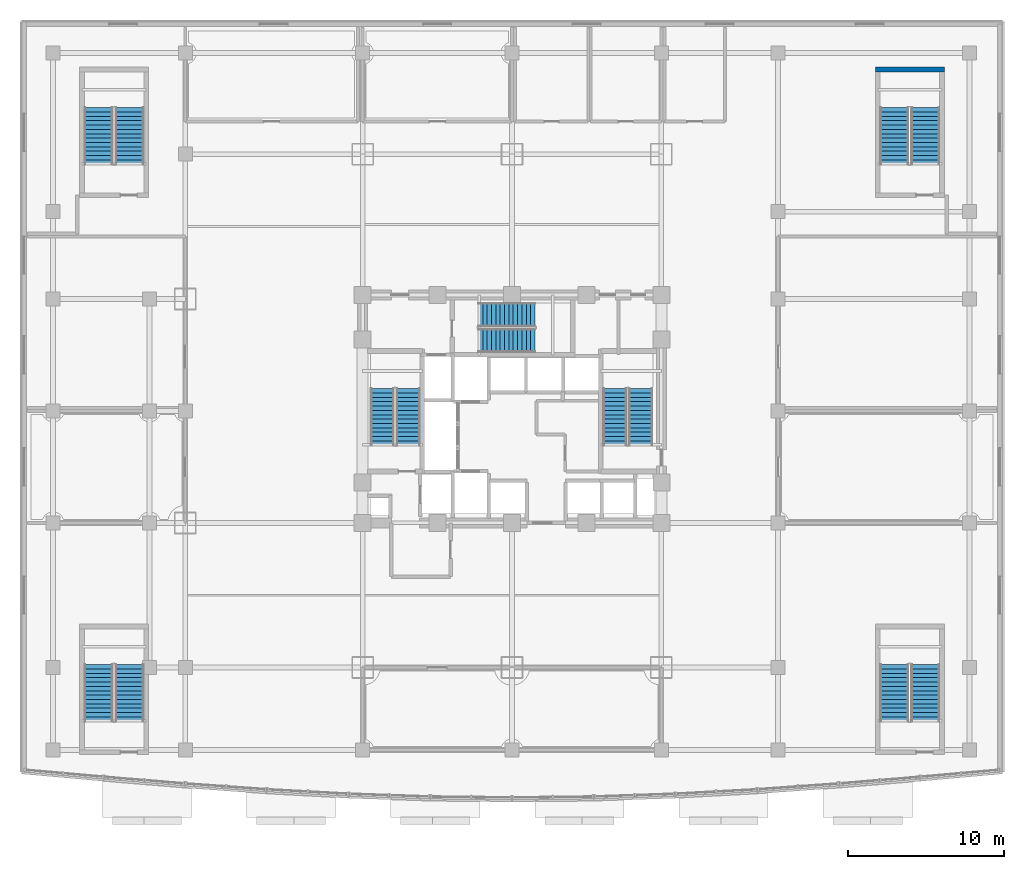
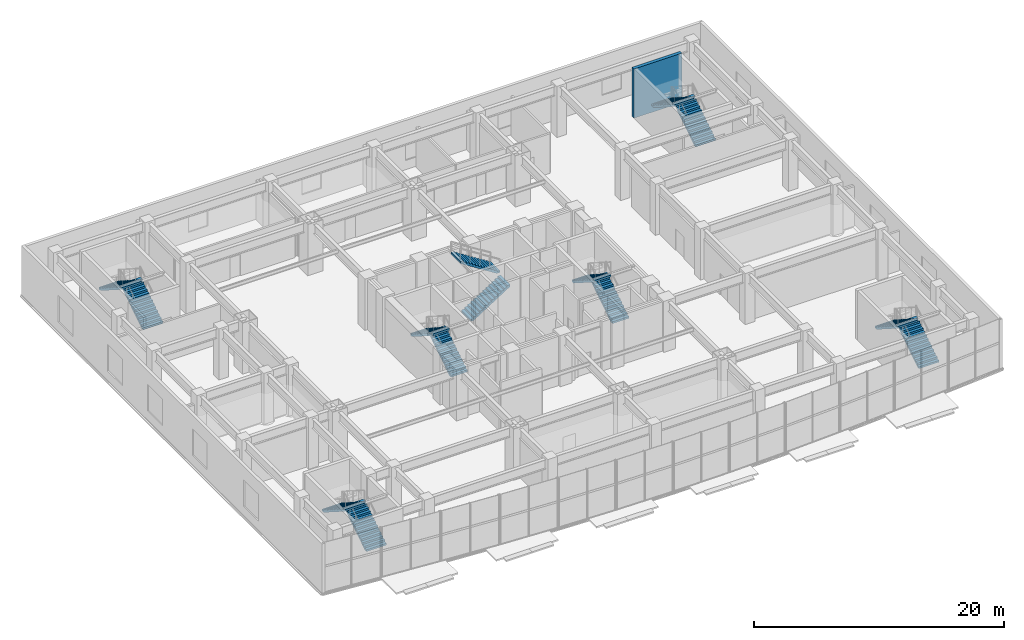
# One storey, part 15 of 24: 14 stair flights, 1 wall, 7 elements without a shape of their own.
"""IFC4 building model written with IfcOpenShell, lengths in metres."""

from ifc_helpers import new_model, si_unit, direction, frame, frame_2d, origin, place, context, subcontext, project, spatial, polyline, rectangle, outline, extrude, material, layer, layer_set, type_object, element, aggregate, save


model = new_model("IFC4")

# Units and contexts
model_context = context("Model", 3, precision=1e-05, world=origin(), true_north=direction((0.0, 1.0)))
body_context = subcontext(model_context, "Body", "Model", "MODEL_VIEW")
ifc_project = project(units=[si_unit("LENGTHUNIT", "METRE"), si_unit("AREAUNIT", "SQUARE_METRE"), si_unit("VOLUMEUNIT", "CUBIC_METRE"), si_unit("PLANEANGLEUNIT", "RADIAN"), si_unit("MASSUNIT", "GRAM", prefix="KILO")], contexts=[model_context])

# Site, building, storey
site_placement = place(None, origin())
site = spatial("IfcSite", under=ifc_project, at=site_placement, CompositionType="ELEMENT")
building_placement = place(site_placement, origin())
building = spatial("IfcBuilding", under=site, at=building_placement, Name="Vantalir Tower", CompositionType="ELEMENT")
storey_placement = place(building_placement, frame((0.0, 0.0, 6.0)))
storey = spatial("IfcBuildingStorey", under=building, at=storey_placement, Name="L01", CompositionType="ELEMENT", Elevation=6.0)

# Wall
ifc_material_1 = material(Name="Concrete C50/60", Category="concrete")
ifc_layer = layer(ifc_material_1, 0.300048828125)
ifc_layer_set = layer_set([ifc_layer], Name="Concrete C50/60")
wall_type = type_object("IfcWallType", Name="WL-STAIR-300", PredefinedType="SHEAR", material=ifc_layer_set)
wall_placement = place(storey_placement, frame((54.85009765625, 46.93994140625, 0.0), z_axis=(0.0, 0.0, 1.0), x_axis=(1.0, 0.0, 0.0)))
element("IfcWall", 1, at=wall_placement, inside=storey, type_object=wall_type, Name="Floor 1 PST2 North Wall", PredefinedType="SHEAR", context=body_context, shape_type="SweptSolid", body=[
    extrude(rectangle(XDim=4.449951171875, YDim=0.300048828125, at=frame_2d((2.22509765625, 0.0))), origin(), (0.0, 0.0, 1.0), 4.820068359375),
])

# Stair, stair flights
ifc_material_2 = material(Name="Concrete C40/50", Category="concrete")
stair_type_1 = type_object("IfcStairType", Name="STR-CORE-1450", PredefinedType="HALF_TURN_STAIR", material=ifc_material_2)
stair_1_placement = place(storey_placement, origin())
stair_1 = element("IfcStair", 2, at=stair_1_placement, inside=storey, type_object=stair_type_1, Name="Level 01 Core Exit Stair 1", PredefinedType="HALF_TURN_STAIR")
stair_flight_type_1 = type_object("IfcStairFlightType", Name="FLT-CORE-1450", PredefinedType="STRAIGHT", material=ifc_material_2)
stair_flight_1_placement = place(storey_placement, frame((24.830078125, 22.7900390625, 0.0), z_axis=(0.0, 0.0, 1.0), x_axis=(0.0, 1.0, 0.0)))
stair_flight_1 = element("IfcStairFlight", 3, at=stair_flight_1_placement, type_object=stair_flight_type_1, Name="ST1 flight 1", NumberOfRisers=14, NumberOfTreads=13, PredefinedType="STRAIGHT", RiserHeight=0.178571429, TreadLength=0.28, context=body_context, shape_type="SweptSolid", body=[
    extrude(outline(polyline([(0.0, 0.0), (0.0, 0.178466796875), (0.280029296875, 0.178466796875), (0.280029296875, 0.357177734375), (0.56005859375, 0.357177734375), (0.56005859375, 0.53564453125), (0.840087890625, 0.53564453125), (0.840087890625, 0.71435546875), (1.1201171875, 0.71435546875), (1.1201171875, 0.892822265625), (1.39990234375, 0.892822265625), (1.39990234375, 1.071533203125), (1.679931640625, 1.071533203125), (1.679931640625, 1.25), (1.9599609375, 1.25), (1.9599609375, 1.428466796875), (2.239990234375, 1.428466796875), (2.239990234375, 1.607177734375), (2.52001953125, 1.607177734375), (2.52001953125, 1.78564453125), (2.800048828125, 1.78564453125), (2.800048828125, 1.96435546875), (3.080078125, 1.96435546875), (3.080078125, 2.142822265625), (3.360107421875, 2.142822265625), (3.360107421875, 2.321533203125), (3.639892578125, 2.321533203125), (3.639892578125, 2.5), (3.639892578125, 2.1435546875), (0.27880859375, 0.0), (0.0, 0.0)])), frame((0.0, 0.77001953125, 0.0), z_axis=(0.0, -1.0, 0.0), x_axis=(1.0, 0.0, 0.0)), (0.0, 0.0, 1.0), 1.5400390625),
])
stair_flight_2_placement = place(storey_placement, frame((23.169921875, 26.429931640625, 2.5), z_axis=(0.0, 0.0, 1.0), x_axis=(0.0, -1.0, 0.0)))
stair_flight_2 = element("IfcStairFlight", 4, at=stair_flight_2_placement, type_object=stair_flight_type_1, Name="ST1 flight 2", NumberOfRisers=14, NumberOfTreads=13, PredefinedType="STRAIGHT", RiserHeight=0.178571429, TreadLength=0.28, context=body_context, shape_type="SweptSolid", body=[
    extrude(outline(polyline([(0.0, 0.0), (0.0, 0.178466796875), (0.280029296875, 0.178466796875), (0.280029296875, 0.357177734375), (0.56005859375, 0.357177734375), (0.56005859375, 0.53564453125), (0.840087890625, 0.53564453125), (0.840087890625, 0.71435546875), (1.1201171875, 0.71435546875), (1.1201171875, 0.892822265625), (1.39990234375, 0.892822265625), (1.39990234375, 1.071533203125), (1.679931640625, 1.071533203125), (1.679931640625, 1.25), (1.9599609375, 1.25), (1.9599609375, 1.428466796875), (2.239990234375, 1.428466796875), (2.239990234375, 1.607177734375), (2.52001953125, 1.607177734375), (2.52001953125, 1.78564453125), (2.800048828125, 1.78564453125), (2.800048828125, 1.96435546875), (3.080078125, 1.96435546875), (3.080078125, 2.142822265625), (3.360107421875, 2.142822265625), (3.360107421875, 2.321533203125), (3.639892578125, 2.321533203125), (3.639892578125, 2.5), (3.639892578125, 2.1435546875), (0.27880859375, 0.0), (0.0, 0.0)])), frame((0.0, 0.77001953125, 0.0), z_axis=(0.0, -1.0, 0.0), x_axis=(1.0, 0.0, 0.0)), (0.0, 0.0, 1.0), 1.5400390625),
])
aggregate(stair_1, [stair_flight_1, stair_flight_2])

stair_2_placement = place(storey_placement, origin())
stair_2 = element("IfcStair", 5, at=stair_2_placement, inside=storey, type_object=stair_type_1, Name="Level 01 Core Exit Stair 2", PredefinedType="HALF_TURN_STAIR")
stair_flight_3_placement = place(storey_placement, frame((39.780029296875, 22.7900390625, 0.0), z_axis=(0.0, 0.0, 1.0), x_axis=(0.0, 1.0, 0.0)))
stair_flight_3 = element("IfcStairFlight", 6, at=stair_flight_3_placement, type_object=stair_flight_type_1, Name="ST2 flight 1", NumberOfRisers=14, NumberOfTreads=13, PredefinedType="STRAIGHT", RiserHeight=0.178571429, TreadLength=0.28, context=body_context, shape_type="SweptSolid", body=[
    extrude(outline(polyline([(0.0, 0.0), (0.0, 0.178466796875), (0.280029296875, 0.178466796875), (0.280029296875, 0.357177734375), (0.56005859375, 0.357177734375), (0.56005859375, 0.53564453125), (0.840087890625, 0.53564453125), (0.840087890625, 0.71435546875), (1.1201171875, 0.71435546875), (1.1201171875, 0.892822265625), (1.39990234375, 0.892822265625), (1.39990234375, 1.071533203125), (1.679931640625, 1.071533203125), (1.679931640625, 1.25), (1.9599609375, 1.25), (1.9599609375, 1.428466796875), (2.239990234375, 1.428466796875), (2.239990234375, 1.607177734375), (2.52001953125, 1.607177734375), (2.52001953125, 1.78564453125), (2.800048828125, 1.78564453125), (2.800048828125, 1.96435546875), (3.080078125, 1.96435546875), (3.080078125, 2.142822265625), (3.360107421875, 2.142822265625), (3.360107421875, 2.321533203125), (3.639892578125, 2.321533203125), (3.639892578125, 2.5), (3.639892578125, 2.1435546875), (0.27880859375, 0.0), (0.0, 0.0)])), frame((0.0, 0.77001953125, 0.0), z_axis=(0.0, -1.0, 0.0), x_axis=(1.0, 0.0, 0.0)), (0.0, 0.0, 1.0), 1.5400390625),
])
stair_flight_4_placement = place(storey_placement, frame((38.1201171875, 26.429931640625, 2.5), z_axis=(0.0, 0.0, 1.0), x_axis=(0.0, -1.0, 0.0)))
stair_flight_4 = element("IfcStairFlight", 7, at=stair_flight_4_placement, type_object=stair_flight_type_1, Name="ST2 flight 2", NumberOfRisers=14, NumberOfTreads=13, PredefinedType="STRAIGHT", RiserHeight=0.178571429, TreadLength=0.28, context=body_context, shape_type="SweptSolid", body=[
    extrude(outline(polyline([(0.0, 0.0), (0.0, 0.178466796875), (0.280029296875, 0.178466796875), (0.280029296875, 0.357177734375), (0.56005859375, 0.357177734375), (0.56005859375, 0.53564453125), (0.840087890625, 0.53564453125), (0.840087890625, 0.71435546875), (1.1201171875, 0.71435546875), (1.1201171875, 0.892822265625), (1.39990234375, 0.892822265625), (1.39990234375, 1.071533203125), (1.679931640625, 1.071533203125), (1.679931640625, 1.25), (1.9599609375, 1.25), (1.9599609375, 1.428466796875), (2.239990234375, 1.428466796875), (2.239990234375, 1.607177734375), (2.52001953125, 1.607177734375), (2.52001953125, 1.78564453125), (2.800048828125, 1.78564453125), (2.800048828125, 1.96435546875), (3.080078125, 1.96435546875), (3.080078125, 2.142822265625), (3.360107421875, 2.142822265625), (3.360107421875, 2.321533203125), (3.639892578125, 2.321533203125), (3.639892578125, 2.5), (3.639892578125, 2.1435546875), (0.27880859375, 0.0), (0.0, 0.0)])), frame((0.0, 0.77001953125, 0.0), z_axis=(0.0, -1.0, 0.0), x_axis=(1.0, 0.0, 0.0)), (0.0, 0.0, 1.0), 1.5400390625),
])
aggregate(stair_2, [stair_flight_3, stair_flight_4])

stair_3_placement = place(storey_placement, origin())
stair_3 = element("IfcStair", 8, at=stair_3_placement, inside=storey, type_object=stair_type_1, Name="Level 01 Core Exit Stair 3", PredefinedType="HALF_TURN_STAIR")
stair_flight_5_placement = place(storey_placement, frame((29.340087890625, 29.52001953125, 0.0), z_axis=(0.0, 0.0, 1.0), x_axis=(1.0, 0.0, 0.0)))
stair_flight_5 = element("IfcStairFlight", 9, at=stair_flight_5_placement, type_object=stair_flight_type_1, Name="ST3 flight 1", NumberOfRisers=14, NumberOfTreads=13, PredefinedType="STRAIGHT", RiserHeight=0.178571429, TreadLength=0.28, context=body_context, shape_type="SweptSolid", body=[
    extrude(outline(polyline([(0.0, 0.0), (0.0, 0.178466796875), (0.280029296875, 0.178466796875), (0.280029296875, 0.357177734375), (0.56005859375, 0.357177734375), (0.56005859375, 0.53564453125), (0.840087890625, 0.53564453125), (0.840087890625, 0.71435546875), (1.1201171875, 0.71435546875), (1.1201171875, 0.892822265625), (1.39990234375, 0.892822265625), (1.39990234375, 1.071533203125), (1.679931640625, 1.071533203125), (1.679931640625, 1.25), (1.9599609375, 1.25), (1.9599609375, 1.428466796875), (2.239990234375, 1.428466796875), (2.239990234375, 1.607177734375), (2.52001953125, 1.607177734375), (2.52001953125, 1.78564453125), (2.800048828125, 1.78564453125), (2.800048828125, 1.96435546875), (3.080078125, 1.96435546875), (3.080078125, 2.142822265625), (3.360107421875, 2.142822265625), (3.360107421875, 2.321533203125), (3.639892578125, 2.321533203125), (3.639892578125, 2.5), (3.639892578125, 2.1435546875), (0.27880859375, 0.0), (0.0, 0.0)])), frame((0.0, 0.77001953125, 0.0), z_axis=(0.0, -1.0, 0.0), x_axis=(1.0, 0.0, 0.0)), (0.0, 0.0, 1.0), 1.5400390625),
])
stair_flight_6_placement = place(storey_placement, frame((32.97998046875, 31.179931640625, 2.5), z_axis=(0.0, 0.0, 1.0), x_axis=(-1.0, 0.0, 0.0)))
stair_flight_6 = element("IfcStairFlight", 10, at=stair_flight_6_placement, type_object=stair_flight_type_1, Name="ST3 flight 2", NumberOfRisers=14, NumberOfTreads=13, PredefinedType="STRAIGHT", RiserHeight=0.178571429, TreadLength=0.28, context=body_context, shape_type="SweptSolid", body=[
    extrude(outline(polyline([(0.0, 0.0), (0.0, 0.178466796875), (0.280029296875, 0.178466796875), (0.280029296875, 0.357177734375), (0.56005859375, 0.357177734375), (0.56005859375, 0.53564453125), (0.840087890625, 0.53564453125), (0.840087890625, 0.71435546875), (1.1201171875, 0.71435546875), (1.1201171875, 0.892822265625), (1.39990234375, 0.892822265625), (1.39990234375, 1.071533203125), (1.679931640625, 1.071533203125), (1.679931640625, 1.25), (1.9599609375, 1.25), (1.9599609375, 1.428466796875), (2.239990234375, 1.428466796875), (2.239990234375, 1.607177734375), (2.52001953125, 1.607177734375), (2.52001953125, 1.78564453125), (2.800048828125, 1.78564453125), (2.800048828125, 1.96435546875), (3.080078125, 1.96435546875), (3.080078125, 2.142822265625), (3.360107421875, 2.142822265625), (3.360107421875, 2.321533203125), (3.639892578125, 2.321533203125), (3.639892578125, 2.5), (3.639892578125, 2.1435546875), (0.27880859375, 0.0), (0.0, 0.0)])), frame((0.0, 0.77001953125, 0.0), z_axis=(0.0, -1.0, 0.0), x_axis=(1.0, 0.0, 0.0)), (0.0, 0.0, 1.0), 1.5400390625),
])
aggregate(stair_3, [stair_flight_5, stair_flight_6])

stair_type_2 = type_object("IfcStairType", Name="STR-POD-1550", PredefinedType="HALF_TURN_STAIR", material=ifc_material_2)
stair_4_placement = place(storey_placement, origin())
stair_4 = element("IfcStair", 11, at=stair_4_placement, inside=storey, type_object=stair_type_2, Name="Level 01 Podium Exit Stair 1", PredefinedType="HALF_TURN_STAIR")
stair_flight_type_2 = type_object("IfcStairFlightType", Name="FLT-POD-1550", PredefinedType="STRAIGHT", material=ifc_material_2)
stair_flight_7_placement = place(storey_placement, frame((6.925048828125, 40.85009765625, 0.0), z_axis=(0.0, 0.0, 1.0), x_axis=(0.0, 1.0, 0.0)))
stair_flight_7 = element("IfcStairFlight", 12, at=stair_flight_7_placement, type_object=stair_flight_type_2, Name="PST1 flight 1", NumberOfRisers=14, NumberOfTreads=13, PredefinedType="STRAIGHT", RiserHeight=0.178571429, TreadLength=0.28, context=body_context, shape_type="SweptSolid", body=[
    extrude(outline(polyline([(0.0, 0.0), (0.0, 0.178466796875), (0.280029296875, 0.178466796875), (0.280029296875, 0.357177734375), (0.56005859375, 0.357177734375), (0.56005859375, 0.53564453125), (0.840087890625, 0.53564453125), (0.840087890625, 0.71435546875), (1.1201171875, 0.71435546875), (1.1201171875, 0.892822265625), (1.39990234375, 0.892822265625), (1.39990234375, 1.071533203125), (1.679931640625, 1.071533203125), (1.679931640625, 1.25), (1.9599609375, 1.25), (1.9599609375, 1.428466796875), (2.239990234375, 1.428466796875), (2.239990234375, 1.607177734375), (2.52001953125, 1.607177734375), (2.52001953125, 1.78564453125), (2.800048828125, 1.78564453125), (2.800048828125, 1.96435546875), (3.080078125, 1.96435546875), (3.080078125, 2.142822265625), (3.360107421875, 2.142822265625), (3.360107421875, 2.321533203125), (3.639892578125, 2.321533203125), (3.639892578125, 2.5), (3.639892578125, 2.1435546875), (0.27880859375, 0.0), (0.0, 0.0)])), frame((0.0, 0.925048828125, 0.0), z_axis=(0.0, -1.0, 0.0), x_axis=(1.0, 0.0, 0.0)), (0.0, 0.0, 1.0), 1.85009765625),
])
stair_flight_8_placement = place(storey_placement, frame((4.925048828125, 44.489990234375, 2.5), z_axis=(0.0, 0.0, 1.0), x_axis=(0.0, -1.0, 0.0)))
stair_flight_8 = element("IfcStairFlight", 13, at=stair_flight_8_placement, type_object=stair_flight_type_2, Name="PST1 flight 2", NumberOfRisers=14, NumberOfTreads=13, PredefinedType="STRAIGHT", RiserHeight=0.178571429, TreadLength=0.28, context=body_context, shape_type="SweptSolid", body=[
    extrude(outline(polyline([(0.0, 0.0), (0.0, 0.178466796875), (0.280029296875, 0.178466796875), (0.280029296875, 0.357177734375), (0.56005859375, 0.357177734375), (0.56005859375, 0.53564453125), (0.840087890625, 0.53564453125), (0.840087890625, 0.71435546875), (1.1201171875, 0.71435546875), (1.1201171875, 0.892822265625), (1.39990234375, 0.892822265625), (1.39990234375, 1.071533203125), (1.679931640625, 1.071533203125), (1.679931640625, 1.25), (1.9599609375, 1.25), (1.9599609375, 1.428466796875), (2.239990234375, 1.428466796875), (2.239990234375, 1.607177734375), (2.52001953125, 1.607177734375), (2.52001953125, 1.78564453125), (2.800048828125, 1.78564453125), (2.800048828125, 1.96435546875), (3.080078125, 1.96435546875), (3.080078125, 2.142822265625), (3.360107421875, 2.142822265625), (3.360107421875, 2.321533203125), (3.639892578125, 2.321533203125), (3.639892578125, 2.5), (3.639892578125, 2.1435546875), (0.27880859375, 0.0), (0.0, 0.0)])), frame((0.0, 0.925048828125, 0.0), z_axis=(0.0, -1.0, 0.0), x_axis=(1.0, 0.0, 0.0)), (0.0, 0.0, 1.0), 1.85009765625),
])
aggregate(stair_4, [stair_flight_7, stair_flight_8])

stair_5_placement = place(storey_placement, origin())
stair_5 = element("IfcStair", 14, at=stair_5_placement, inside=storey, type_object=stair_type_2, Name="Level 01 Podium Exit Stair 2", PredefinedType="HALF_TURN_STAIR")
stair_flight_9_placement = place(storey_placement, frame((58.074951171875, 40.85009765625, 0.0), z_axis=(0.0, 0.0, 1.0), x_axis=(0.0, 1.0, 0.0)))
stair_flight_9 = element("IfcStairFlight", 15, at=stair_flight_9_placement, type_object=stair_flight_type_2, Name="PST2 flight 1", NumberOfRisers=14, NumberOfTreads=13, PredefinedType="STRAIGHT", RiserHeight=0.178571429, TreadLength=0.28, context=body_context, shape_type="SweptSolid", body=[
    extrude(outline(polyline([(0.0, 0.0), (0.0, 0.178466796875), (0.280029296875, 0.178466796875), (0.280029296875, 0.357177734375), (0.56005859375, 0.357177734375), (0.56005859375, 0.53564453125), (0.840087890625, 0.53564453125), (0.840087890625, 0.71435546875), (1.1201171875, 0.71435546875), (1.1201171875, 0.892822265625), (1.39990234375, 0.892822265625), (1.39990234375, 1.071533203125), (1.679931640625, 1.071533203125), (1.679931640625, 1.25), (1.9599609375, 1.25), (1.9599609375, 1.428466796875), (2.239990234375, 1.428466796875), (2.239990234375, 1.607177734375), (2.52001953125, 1.607177734375), (2.52001953125, 1.78564453125), (2.800048828125, 1.78564453125), (2.800048828125, 1.96435546875), (3.080078125, 1.96435546875), (3.080078125, 2.142822265625), (3.360107421875, 2.142822265625), (3.360107421875, 2.321533203125), (3.639892578125, 2.321533203125), (3.639892578125, 2.5), (3.639892578125, 2.1435546875), (0.27880859375, 0.0), (0.0, 0.0)])), frame((0.0, 0.925048828125, 0.0), z_axis=(0.0, -1.0, 0.0), x_axis=(1.0, 0.0, 0.0)), (0.0, 0.0, 1.0), 1.85009765625),
])
stair_flight_10_placement = place(storey_placement, frame((56.074951171875, 44.489990234375, 2.5), z_axis=(0.0, 0.0, 1.0), x_axis=(0.0, -1.0, 0.0)))
stair_flight_10 = element("IfcStairFlight", 16, at=stair_flight_10_placement, type_object=stair_flight_type_2, Name="PST2 flight 2", NumberOfRisers=14, NumberOfTreads=13, PredefinedType="STRAIGHT", RiserHeight=0.178571429, TreadLength=0.28, context=body_context, shape_type="SweptSolid", body=[
    extrude(outline(polyline([(0.0, 0.0), (0.0, 0.178466796875), (0.280029296875, 0.178466796875), (0.280029296875, 0.357177734375), (0.56005859375, 0.357177734375), (0.56005859375, 0.53564453125), (0.840087890625, 0.53564453125), (0.840087890625, 0.71435546875), (1.1201171875, 0.71435546875), (1.1201171875, 0.892822265625), (1.39990234375, 0.892822265625), (1.39990234375, 1.071533203125), (1.679931640625, 1.071533203125), (1.679931640625, 1.25), (1.9599609375, 1.25), (1.9599609375, 1.428466796875), (2.239990234375, 1.428466796875), (2.239990234375, 1.607177734375), (2.52001953125, 1.607177734375), (2.52001953125, 1.78564453125), (2.800048828125, 1.78564453125), (2.800048828125, 1.96435546875), (3.080078125, 1.96435546875), (3.080078125, 2.142822265625), (3.360107421875, 2.142822265625), (3.360107421875, 2.321533203125), (3.639892578125, 2.321533203125), (3.639892578125, 2.5), (3.639892578125, 2.1435546875), (0.27880859375, 0.0), (0.0, 0.0)])), frame((0.0, 0.925048828125, 0.0), z_axis=(0.0, -1.0, 0.0), x_axis=(1.0, 0.0, 0.0)), (0.0, 0.0, 1.0), 1.85009765625),
])
aggregate(stair_5, [stair_flight_9, stair_flight_10])

stair_6_placement = place(storey_placement, origin())
stair_6 = element("IfcStair", 17, at=stair_6_placement, inside=storey, type_object=stair_type_2, Name="Level 01 Podium Exit Stair 3", PredefinedType="HALF_TURN_STAIR")
stair_flight_11_placement = place(storey_placement, frame((6.925048828125, 5.050048828125, 0.0), z_axis=(0.0, 0.0, 1.0), x_axis=(0.0, 1.0, 0.0)))
stair_flight_11 = element("IfcStairFlight", 18, at=stair_flight_11_placement, type_object=stair_flight_type_2, Name="PST3 flight 1", NumberOfRisers=14, NumberOfTreads=13, PredefinedType="STRAIGHT", RiserHeight=0.178571429, TreadLength=0.28, context=body_context, shape_type="SweptSolid", body=[
    extrude(outline(polyline([(0.0, 0.0), (0.0, 0.178466796875), (0.280029296875, 0.178466796875), (0.280029296875, 0.357177734375), (0.56005859375, 0.357177734375), (0.56005859375, 0.53564453125), (0.840087890625, 0.53564453125), (0.840087890625, 0.71435546875), (1.1201171875, 0.71435546875), (1.1201171875, 0.892822265625), (1.39990234375, 0.892822265625), (1.39990234375, 1.071533203125), (1.679931640625, 1.071533203125), (1.679931640625, 1.25), (1.9599609375, 1.25), (1.9599609375, 1.428466796875), (2.239990234375, 1.428466796875), (2.239990234375, 1.607177734375), (2.52001953125, 1.607177734375), (2.52001953125, 1.78564453125), (2.800048828125, 1.78564453125), (2.800048828125, 1.96435546875), (3.080078125, 1.96435546875), (3.080078125, 2.142822265625), (3.360107421875, 2.142822265625), (3.360107421875, 2.321533203125), (3.639892578125, 2.321533203125), (3.639892578125, 2.5), (3.639892578125, 2.1435546875), (0.27880859375, 0.0), (0.0, 0.0)])), frame((0.0, 0.925048828125, 0.0), z_axis=(0.0, -1.0, 0.0), x_axis=(1.0, 0.0, 0.0)), (0.0, 0.0, 1.0), 1.85009765625),
])
stair_flight_12_placement = place(storey_placement, frame((4.925048828125, 8.68994140625, 2.5), z_axis=(0.0, 0.0, 1.0), x_axis=(0.0, -1.0, 0.0)))
stair_flight_12 = element("IfcStairFlight", 19, at=stair_flight_12_placement, type_object=stair_flight_type_2, Name="PST3 flight 2", NumberOfRisers=14, NumberOfTreads=13, PredefinedType="STRAIGHT", RiserHeight=0.178571429, TreadLength=0.28, context=body_context, shape_type="SweptSolid", body=[
    extrude(outline(polyline([(0.0, 0.0), (0.0, 0.178466796875), (0.280029296875, 0.178466796875), (0.280029296875, 0.357177734375), (0.56005859375, 0.357177734375), (0.56005859375, 0.53564453125), (0.840087890625, 0.53564453125), (0.840087890625, 0.71435546875), (1.1201171875, 0.71435546875), (1.1201171875, 0.892822265625), (1.39990234375, 0.892822265625), (1.39990234375, 1.071533203125), (1.679931640625, 1.071533203125), (1.679931640625, 1.25), (1.9599609375, 1.25), (1.9599609375, 1.428466796875), (2.239990234375, 1.428466796875), (2.239990234375, 1.607177734375), (2.52001953125, 1.607177734375), (2.52001953125, 1.78564453125), (2.800048828125, 1.78564453125), (2.800048828125, 1.96435546875), (3.080078125, 1.96435546875), (3.080078125, 2.142822265625), (3.360107421875, 2.142822265625), (3.360107421875, 2.321533203125), (3.639892578125, 2.321533203125), (3.639892578125, 2.5), (3.639892578125, 2.1435546875), (0.27880859375, 0.0), (0.0, 0.0)])), frame((0.0, 0.925048828125, 0.0), z_axis=(0.0, -1.0, 0.0), x_axis=(1.0, 0.0, 0.0)), (0.0, 0.0, 1.0), 1.85009765625),
])
aggregate(stair_6, [stair_flight_11, stair_flight_12])

stair_7_placement = place(storey_placement, origin())
stair_7 = element("IfcStair", 20, at=stair_7_placement, inside=storey, type_object=stair_type_2, Name="Level 01 Podium Exit Stair 4", PredefinedType="HALF_TURN_STAIR")
stair_flight_13_placement = place(storey_placement, frame((58.074951171875, 5.050048828125, 0.0), z_axis=(0.0, 0.0, 1.0), x_axis=(0.0, 1.0, 0.0)))
stair_flight_13 = element("IfcStairFlight", 21, at=stair_flight_13_placement, type_object=stair_flight_type_2, Name="PST4 flight 1", NumberOfRisers=14, NumberOfTreads=13, PredefinedType="STRAIGHT", RiserHeight=0.178571429, TreadLength=0.28, context=body_context, shape_type="SweptSolid", body=[
    extrude(outline(polyline([(0.0, 0.0), (0.0, 0.178466796875), (0.280029296875, 0.178466796875), (0.280029296875, 0.357177734375), (0.56005859375, 0.357177734375), (0.56005859375, 0.53564453125), (0.840087890625, 0.53564453125), (0.840087890625, 0.71435546875), (1.1201171875, 0.71435546875), (1.1201171875, 0.892822265625), (1.39990234375, 0.892822265625), (1.39990234375, 1.071533203125), (1.679931640625, 1.071533203125), (1.679931640625, 1.25), (1.9599609375, 1.25), (1.9599609375, 1.428466796875), (2.239990234375, 1.428466796875), (2.239990234375, 1.607177734375), (2.52001953125, 1.607177734375), (2.52001953125, 1.78564453125), (2.800048828125, 1.78564453125), (2.800048828125, 1.96435546875), (3.080078125, 1.96435546875), (3.080078125, 2.142822265625), (3.360107421875, 2.142822265625), (3.360107421875, 2.321533203125), (3.639892578125, 2.321533203125), (3.639892578125, 2.5), (3.639892578125, 2.1435546875), (0.27880859375, 0.0), (0.0, 0.0)])), frame((0.0, 0.925048828125, 0.0), z_axis=(0.0, -1.0, 0.0), x_axis=(1.0, 0.0, 0.0)), (0.0, 0.0, 1.0), 1.85009765625),
])
stair_flight_14_placement = place(storey_placement, frame((56.074951171875, 8.68994140625, 2.5), z_axis=(0.0, 0.0, 1.0), x_axis=(0.0, -1.0, 0.0)))
stair_flight_14 = element("IfcStairFlight", 22, at=stair_flight_14_placement, type_object=stair_flight_type_2, Name="PST4 flight 2", NumberOfRisers=14, NumberOfTreads=13, PredefinedType="STRAIGHT", RiserHeight=0.178571429, TreadLength=0.28, context=body_context, shape_type="SweptSolid", body=[
    extrude(outline(polyline([(0.0, 0.0), (0.0, 0.178466796875), (0.280029296875, 0.178466796875), (0.280029296875, 0.357177734375), (0.56005859375, 0.357177734375), (0.56005859375, 0.53564453125), (0.840087890625, 0.53564453125), (0.840087890625, 0.71435546875), (1.1201171875, 0.71435546875), (1.1201171875, 0.892822265625), (1.39990234375, 0.892822265625), (1.39990234375, 1.071533203125), (1.679931640625, 1.071533203125), (1.679931640625, 1.25), (1.9599609375, 1.25), (1.9599609375, 1.428466796875), (2.239990234375, 1.428466796875), (2.239990234375, 1.607177734375), (2.52001953125, 1.607177734375), (2.52001953125, 1.78564453125), (2.800048828125, 1.78564453125), (2.800048828125, 1.96435546875), (3.080078125, 1.96435546875), (3.080078125, 2.142822265625), (3.360107421875, 2.142822265625), (3.360107421875, 2.321533203125), (3.639892578125, 2.321533203125), (3.639892578125, 2.5), (3.639892578125, 2.1435546875), (0.27880859375, 0.0), (0.0, 0.0)])), frame((0.0, 0.925048828125, 0.0), z_axis=(0.0, -1.0, 0.0), x_axis=(1.0, 0.0, 0.0)), (0.0, 0.0, 1.0), 1.85009765625),
])
aggregate(stair_7, [stair_flight_13, stair_flight_14])

save(model, "model.ifc")
